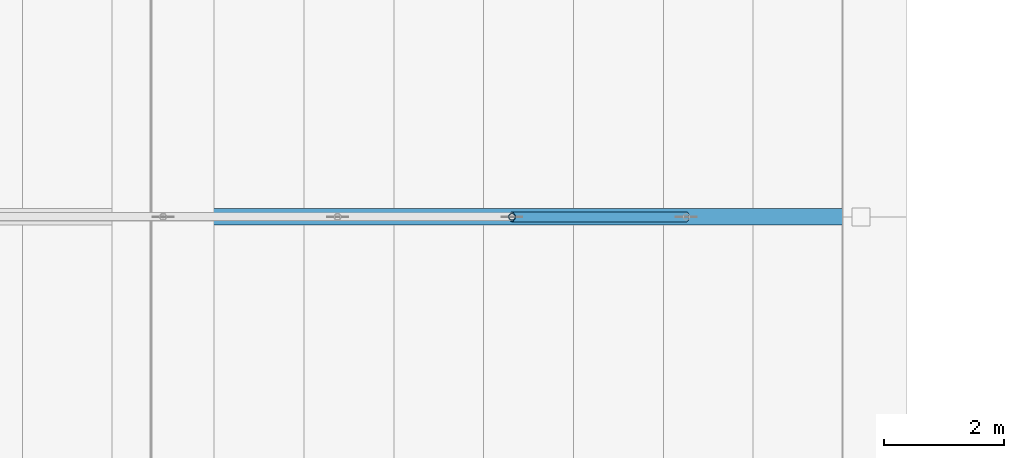
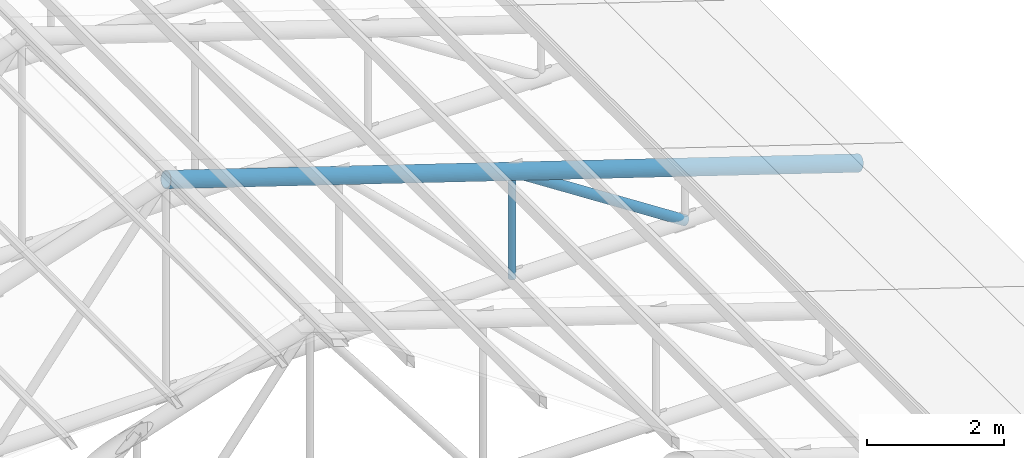
# One storey, part 31 of 95: 3 members.
"""IFC4 building model written with IfcOpenShell, lengths in metres."""

from ifc_helpers import new_model, si_unit, direction, frame, origin, origin_2d, place, context, subcontext, project, spatial, hollow_circle, extrude, material, material_profile, profile_set, type_object, element, save


model = new_model("IFC4")

# Units and contexts
model_context = context("Model", 3, precision=1e-05, world=origin(), true_north=direction((0.0, 1.0)))
body_context = subcontext(model_context, "Body", "Model", "MODEL_VIEW")
ifc_project = project(units=[si_unit("LENGTHUNIT", "METRE"), si_unit("AREAUNIT", "SQUARE_METRE"), si_unit("VOLUMEUNIT", "CUBIC_METRE"), si_unit("PLANEANGLEUNIT", "RADIAN"), si_unit("MASSUNIT", "GRAM", prefix="KILO")], contexts=[model_context])

# Site, building, storey
site_placement = place(None, origin())
site = spatial("IfcSite", under=ifc_project, at=site_placement, CompositionType="ELEMENT")
building_placement = place(site_placement, origin())
building = spatial("IfcBuilding", under=site, at=building_placement, Name="Kiln Court Media Centre", CompositionType="ELEMENT")
storey_placement = place(building_placement, frame((0.0, 0.0, 24.60009765625)))
storey = spatial("IfcBuildingStorey", under=building, at=storey_placement, Name="L05", CompositionType="ELEMENT", Elevation=24.60009765625)

# Members
ifc_material_1 = material(Name="Steel ASTM A500 Gr C", Category="steel")
ifc_material_profile_1 = material_profile(ifc_material_1, hollow_circle(Radius=0.05712890625, WallThickness=0.0048828125, at=origin_2d()), Name="CHS 114.3x5.0")
ifc_profile_set_1 = profile_set([ifc_material_profile_1], Name="Steel ASTM A500 Gr C")
member_type_1 = type_object("IfcMemberType", Name="Steel ASTM A500 Gr C CHS 114.3x5.0 truss web", PredefinedType="BRACE", material=ifc_profile_set_1)
member_1_placement = place(storey_placement, frame((52.22509765625, 42.0, -0.013916015625), z_axis=(0.0, 0.0, 1.0), x_axis=(1.0, 0.0, 0.0)))
element("IfcMember", 1, at=member_1_placement, inside=storey, type_object=member_type_1, Name="foyer truss FT-05 post 6 truss web", PredefinedType="BRACE", context=body_context, shape_type="SweptSolid", body=[
    extrude(hollow_circle(Radius=0.05712890625, WallThickness=0.0048828125, at=origin_2d()), origin(), (0.0, 0.0, 1.0), 1.892822265625),
])
ifc_material_2 = material(Name="Steel ASTM A500 Gr C", Category="steel")
ifc_material_profile_2 = material_profile(ifc_material_2, hollow_circle(Radius=0.084228515625, WallThickness=0.00634765625, at=origin_2d()), Name="CHS 168.3x6.3")
ifc_profile_set_2 = profile_set([ifc_material_profile_2], Name="Steel ASTM A500 Gr C")
member_type_2 = type_object("IfcMemberType", Name="Steel ASTM A500 Gr C CHS 168.3x6.3 truss web", PredefinedType="BRACE", material=ifc_profile_set_2)
member_2_placement = place(storey_placement, frame((52.22509765625, 42.0, 1.87890625), z_axis=(0.838470915332, 0.0, -0.544946349784), x_axis=(0.0, 1.0, 0.0)))
element("IfcMember", 2, at=member_2_placement, inside=storey, type_object=member_type_2, Name="foyer truss FT-05 diagonal 7 truss web", PredefinedType="BRACE", context=body_context, shape_type="SweptSolid", body=[
    extrude(hollow_circle(Radius=0.084228515625, WallThickness=0.00634765625, at=origin_2d()), origin(), (0.0, 0.0, 1.0), 3.473388671875),
])
ifc_material_3 = material(Name="Steel ASTM A500 Gr C", Category="steel")
ifc_material_profile_3 = material_profile(ifc_material_3, hollow_circle(Radius=0.136474609375, WallThickness=0.010009765625, at=origin_2d()), Name="CHS 273.0x10.0")
ifc_profile_set_3 = profile_set([ifc_material_profile_3], Name="Steel ASTM A500 Gr C")
member_type_3 = type_object("IfcMemberType", Name="Steel ASTM A500 Gr C CHS 273.0x10.0 truss chord", PredefinedType="CHORD", material=ifc_profile_set_3)
member_3_placement = place(storey_placement, frame((46.39990234375, 42.0, 3.771484375), z_axis=(0.951055596592, 0.0, -0.309019824916), x_axis=(0.0, 1.0, 0.0)))
element("IfcMember", 3, at=member_3_placement, inside=storey, type_object=member_type_3, Name="foyer truss FT-05 east rafter truss chord", PredefinedType="CHORD", context=body_context, shape_type="SweptSolid", body=[
    extrude(hollow_circle(Radius=0.136474609375, WallThickness=0.010009765625, at=origin_2d()), origin(), (0.0, 0.0, 1.0), 12.249755859375),
])

save(model, "model.ifc")
